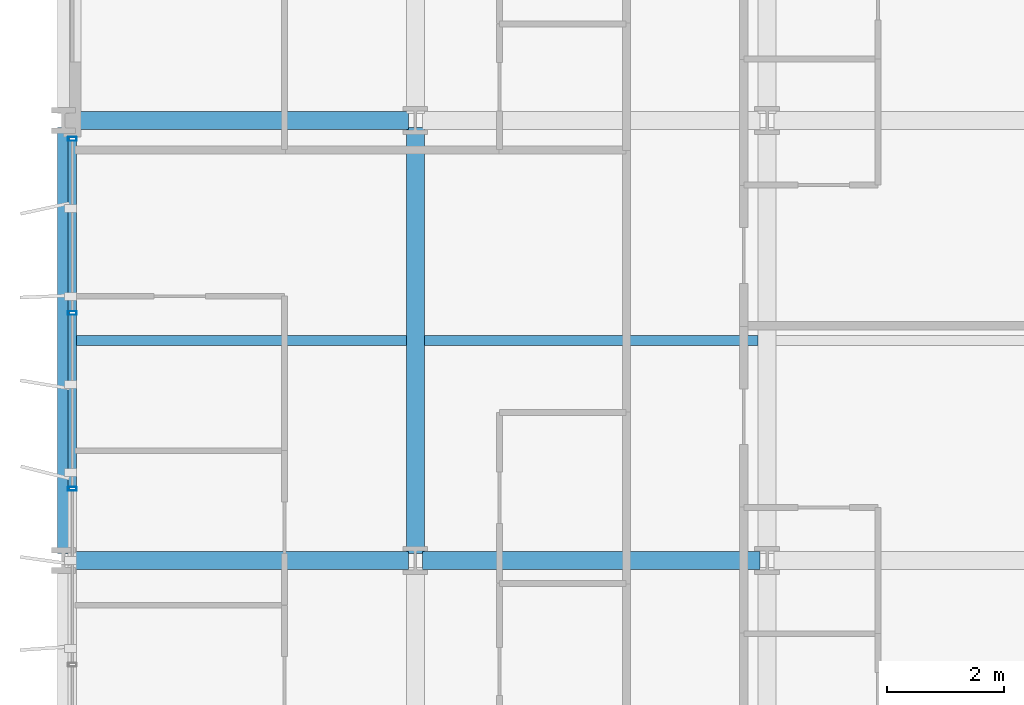
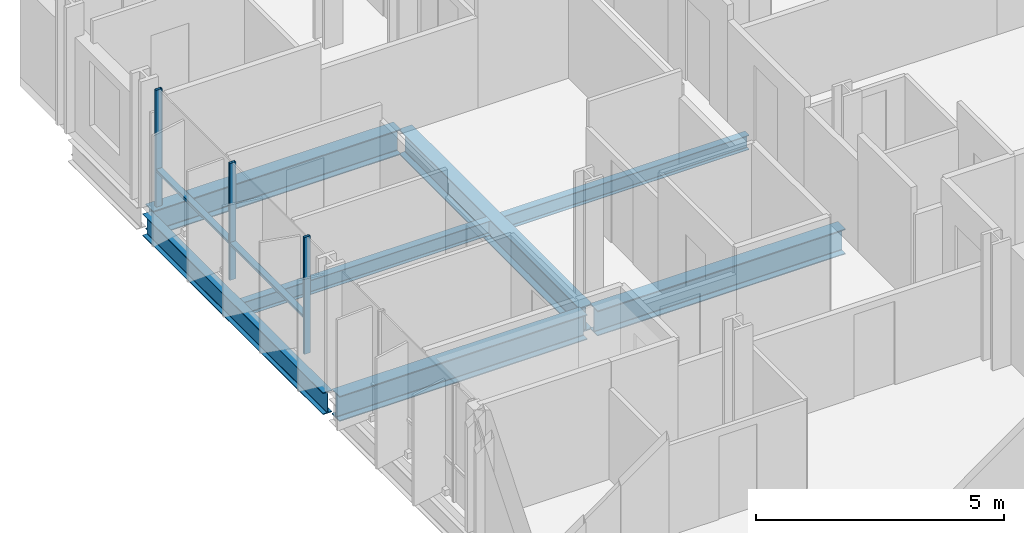
# One storey, part 5 of 38: 7 beams, 5 members, 1 element without a shape of its own.
"""IFC4 building model written with IfcOpenShell, lengths in metres."""

from ifc_helpers import new_model, si_unit, direction, frame, origin, origin_2d, place, context, subcontext, project, spatial, hollow_rectangle, i_section, extrude, material, layer, layer_set, material_profile, profile_set, type_object, element, aggregate, save


model = new_model("IFC4")

# Units and contexts
model_context = context("Model", 3, precision=1e-05, world=origin(), true_north=direction((0.0, 1.0)))
body_context = subcontext(model_context, "Body", "Model", "MODEL_VIEW")
ifc_project = project(units=[si_unit("LENGTHUNIT", "METRE"), si_unit("AREAUNIT", "SQUARE_METRE"), si_unit("VOLUMEUNIT", "CUBIC_METRE"), si_unit("PLANEANGLEUNIT", "RADIAN"), si_unit("MASSUNIT", "GRAM", prefix="KILO")], contexts=[model_context])

# Site, building, storey
site_placement = place(None, origin())
site = spatial("IfcSite", under=ifc_project, at=site_placement, CompositionType="ELEMENT")
building_placement = place(site_placement, origin())
building = spatial("IfcBuilding", under=site, at=building_placement, Name="Brevholm Reach", CompositionType="ELEMENT")
storey_placement = place(building_placement, frame((0.0, 0.0, 46.60009765625)))
storey = spatial("IfcBuildingStorey", under=building, at=storey_placement, Name="L12", CompositionType="ELEMENT", Elevation=46.60009765625)

# Beams
ifc_material_1 = material(Name="Structural Steel S355J2", Category="steel")
ifc_material_profile_1 = material_profile(ifc_material_1, i_section(OverallWidth=0.17138671875, OverallDepth=0.35498046875, WebThickness=0.00732421875, FlangeThickness=0.011474609375, FilletRadius=0.01025390625, at=origin_2d()), Name="UKB 356x171x51")
ifc_profile_set_1 = profile_set([ifc_material_profile_1], Name="Structural Steel S355J2")
beam_type_1 = type_object("IfcBeamType", Name="BM-B356", PredefinedType="BEAM", material=ifc_profile_set_1)
beam_1_placement = place(storey_placement, frame((0.10546875, 19.75, -0.40771484375), z_axis=(1.0, 0.0, 0.0), x_axis=(0.0, 1.0, 0.0)))
element("IfcBeam", 1, at=beam_1_placement, inside=storey, type_object=beam_type_1, Name="L12 Composite Secondary Floor Beam", PredefinedType="BEAM", context=body_context, shape_type="SweptSolid", body=[
    extrude(i_section(OverallWidth=0.17138671875, OverallDepth=0.35498046875, WebThickness=0.00732421875, FlangeThickness=0.011474609375, FilletRadius=0.01025390625, at=origin_2d()), origin(), (0.0, 0.0, 1.0), 5.740966796875),
])
beam_2_placement = place(storey_placement, frame((6.153564453125, 19.75, -0.40771484375), z_axis=(1.0, 0.0, 0.0), x_axis=(0.0, 1.0, 0.0)))
element("IfcBeam", 2, at=beam_2_placement, inside=storey, type_object=beam_type_1, Name="L12 Composite Secondary Floor Beam", PredefinedType="BEAM", context=body_context, shape_type="SweptSolid", body=[
    extrude(i_section(OverallWidth=0.17138671875, OverallDepth=0.35498046875, WebThickness=0.00732421875, FlangeThickness=0.011474609375, FilletRadius=0.01025390625, at=origin_2d()), origin(), (0.0, 0.0, 1.0), 5.69287109375),
])
ifc_material_2 = material(Name="Structural Steel S355J2", Category="steel")
ifc_material_profile_2 = material_profile(ifc_material_2, i_section(OverallWidth=0.210693359375, OverallDepth=0.53955078125, WebThickness=0.01171875, FlangeThickness=0.018798828125, FilletRadius=0.0126953125, at=origin_2d()), Name="UKB 533x210x109")
ifc_profile_set_2 = profile_set([ifc_material_profile_2], Name="Structural Steel S355J2")
beam_type_2 = type_object("IfcBeamType", Name="BM-SP539", PredefinedType="SPANDREL", material=ifc_profile_set_2)
beam_3_placement = place(storey_placement, frame((0.0, 16.1201171875, -0.499755859375), z_axis=(0.0, 1.0, 0.0), x_axis=(-1.0, 0.0, 0.0)))
element("IfcBeam", 3, at=beam_3_placement, inside=storey, type_object=beam_type_2, Name="L12 SP-01B Framing Beam", PredefinedType="SPANDREL", context=body_context, shape_type="SweptSolid", body=[
    extrude(i_section(OverallWidth=0.210693359375, OverallDepth=0.53955078125, WebThickness=0.01171875, FlangeThickness=0.018798828125, FilletRadius=0.0126953125, at=origin_2d()), origin(), (0.0, 0.0, 1.0), 7.259765625),
])
ifc_material_3 = material(Name="Structural Steel S355J2", Category="steel")
ifc_material_profile_3 = material_profile(ifc_material_3, i_section(OverallWidth=0.30712890625, OverallDepth=0.6201171875, WebThickness=0.01416015625, FlangeThickness=0.023681640625, FilletRadius=0.0166015625, at=origin_2d()), Name="UKB 610x305x179")
ifc_profile_set_3 = profile_set([ifc_material_profile_3], Name="Structural Steel S355J2")
beam_type_3 = type_object("IfcBeamType", Name="BM-UKB610H", PredefinedType="USERDEFINED", material=ifc_profile_set_3)
for number, where, z_axis, x_axis, name in (
    (4, (0.1201171875, 16.0, -0.540283203125), (1.0, 0.0, 0.0), (0.0, 1.0, 0.0), "L12 G-06 Framing Beam"),
    (5, (6.1201171875, 16.0, -0.540283203125), (1.0, 0.0, 0.0), (0.0, 1.0, 0.0), "L12 G-06 Framing Beam"),
    (6, (0.1201171875, 23.5, -0.540283203125), (1.0, 0.0, 0.0), (0.0, 1.0, 0.0), "L12 G-06 Framing Beam"),
):
    element("IfcBeam", number, at=place(storey_placement, frame(where, z_axis=z_axis, x_axis=x_axis)), inside=storey, type_object=beam_type_3, Name=name, ObjectType="GIRDER", PredefinedType="USERDEFINED", context=body_context, shape_type="SweptSolid", body=[
        extrude(i_section(OverallWidth=0.30712890625, OverallDepth=0.6201171875, WebThickness=0.01416015625, FlangeThickness=0.023681640625, FilletRadius=0.0166015625, at=origin_2d()), origin(), (0.0, 0.0, 1.0), 5.759765625),
    ])
beam_4_placement = place(storey_placement, frame((6.0, 16.1201171875, -0.540283203125), z_axis=(0.0, 1.0, 0.0), x_axis=(-1.0, 0.0, 0.0)))
element("IfcBeam", 7, at=beam_4_placement, inside=storey, type_object=beam_type_3, Name="L12 G-06 Framing Beam", ObjectType="GIRDER", PredefinedType="USERDEFINED", context=body_context, shape_type="SweptSolid", body=[
    extrude(i_section(OverallWidth=0.30712890625, OverallDepth=0.6201171875, WebThickness=0.01416015625, FlangeThickness=0.023681640625, FilletRadius=0.0166015625, at=origin_2d()), origin(), (0.0, 0.0, 1.0), 7.259765625),
])

# Curtain wall, members
ifc_material_4 = material(Name="Dark Anodised Aluminium 6063-T6 and Solar-Control Glass", Category="aluminium")
ifc_layer = layer(ifc_material_4, 0.14990234375)
ifc_layer_set = layer_set([ifc_layer], Name="Dark Anodised Aluminium 6063-T6 and Solar-Control Glass")
curtain_wall_type = type_object("IfcCurtainWallType", Name="CW-01", PredefinedType="NOTDEFINED", material=ifc_layer_set)
curtain_wall_placement = place(storey_placement, origin())
curtain_wall = element("IfcCurtainWall", 8, at=curtain_wall_placement, inside=storey, type_object=curtain_wall_type, Name="L12 Curtain Wall CW-01", PredefinedType="NOTDEFINED")
ifc_material_5 = material(Name="Dark Anodised Aluminium 6063-T6", Category="aluminium")
ifc_material_profile_4 = material_profile(ifc_material_5, hollow_rectangle(XDim=0.06494140625, YDim=0.14990234375, WallThickness=0.0048828125, InnerFilletRadius=0.0048828125, OuterFilletRadius=0.010009765625, at=origin_2d()), Name="RHS 150x65x5")
ifc_profile_set_4 = profile_set([ifc_material_profile_4], Name="Dark Anodised Aluminium 6063-T6")
member_type_1 = type_object("IfcMemberType", Name="CWM-150", PredefinedType="MULLION", material=ifc_profile_set_4)
member_1_placement = place(storey_placement, frame((0.14990234375, 23.1875, 0.0), z_axis=(0.0, 0.0, 1.0), x_axis=(0.0, -1.0, 0.0)))
member_1 = element("IfcMember", 9, at=member_1_placement, type_object=member_type_1, Name="CM-150 Mullion 1", PredefinedType="MULLION", context=body_context, shape_type="SweptSolid", body=[
    extrude(hollow_rectangle(XDim=0.06494140625, YDim=0.14990234375, WallThickness=0.0048828125, InnerFilletRadius=0.0048828125, OuterFilletRadius=0.010009765625, at=origin_2d()), origin(), (0.0, 0.0, 1.0), 2.869873046875),
])
member_2_placement = place(storey_placement, frame((0.14990234375, 20.219970703125, 0.0), z_axis=(0.0, 0.0, 1.0), x_axis=(0.0, -1.0, 0.0)))
member_2 = element("IfcMember", 10, at=member_2_placement, type_object=member_type_1, Name="CM-150 Mullion 2", PredefinedType="MULLION", context=body_context, shape_type="SweptSolid", body=[
    extrude(hollow_rectangle(XDim=0.06494140625, YDim=0.14990234375, WallThickness=0.0048828125, InnerFilletRadius=0.0048828125, OuterFilletRadius=0.010009765625, at=origin_2d()), origin(), (0.0, 0.0, 1.0), 2.869873046875),
])
member_3_placement = place(storey_placement, frame((0.14990234375, 17.219970703125, 0.0), z_axis=(0.0, 0.0, 1.0), x_axis=(0.0, -1.0, 0.0)))
member_3 = element("IfcMember", 11, at=member_3_placement, type_object=member_type_1, Name="CM-150 Mullion 3", PredefinedType="MULLION", context=body_context, shape_type="SweptSolid", body=[
    extrude(hollow_rectangle(XDim=0.06494140625, YDim=0.14990234375, WallThickness=0.0048828125, InnerFilletRadius=0.0048828125, OuterFilletRadius=0.010009765625, at=origin_2d()), origin(), (0.0, 0.0, 1.0), 2.869873046875),
])
ifc_material_6 = material(Name="Dark Anodised Aluminium 6063-T6", Category="aluminium")
ifc_material_profile_5 = material_profile(ifc_material_6, hollow_rectangle(XDim=0.06494140625, YDim=0.14990234375, WallThickness=0.0048828125, InnerFilletRadius=0.0048828125, OuterFilletRadius=0.010009765625, at=origin_2d()), Name="RHS 150x65x5")
ifc_profile_set_5 = profile_set([ifc_material_profile_5], Name="Dark Anodised Aluminium 6063-T6")
member_type_2 = type_object("IfcMemberType", Name="CWT-150", PredefinedType="NOTDEFINED", material=ifc_profile_set_5)
member_4_placement = place(storey_placement, frame((0.14990234375, 23.155029296875, 0.89990234375), z_axis=(0.0, -1.0, 0.0), x_axis=(0.0, 0.0, 1.0)))
member_4 = element("IfcMember", 12, at=member_4_placement, type_object=member_type_2, Name="CT-150 Transom 1.1", ObjectType="TRANSOM", PredefinedType="USERDEFINED", context=body_context, shape_type="SweptSolid", body=[
    extrude(hollow_rectangle(XDim=0.06494140625, YDim=0.14990234375, WallThickness=0.0048828125, InnerFilletRadius=0.0048828125, OuterFilletRadius=0.010009765625, at=origin_2d()), origin(), (0.0, 0.0, 1.0), 2.902587890625),
])
member_5_placement = place(storey_placement, frame((0.14990234375, 20.1875, 0.89990234375), z_axis=(0.0, -1.0, 0.0), x_axis=(0.0, 0.0, 1.0)))
member_5 = element("IfcMember", 13, at=member_5_placement, type_object=member_type_2, Name="CT-150 Transom 2.1", ObjectType="TRANSOM", PredefinedType="USERDEFINED", context=body_context, shape_type="SweptSolid", body=[
    extrude(hollow_rectangle(XDim=0.06494140625, YDim=0.14990234375, WallThickness=0.0048828125, InnerFilletRadius=0.0048828125, OuterFilletRadius=0.010009765625, at=origin_2d()), origin(), (0.0, 0.0, 1.0), 2.93505859375),
])
aggregate(curtain_wall, [member_1, member_2, member_3, member_4, member_5])

save(model, "model.ifc")
